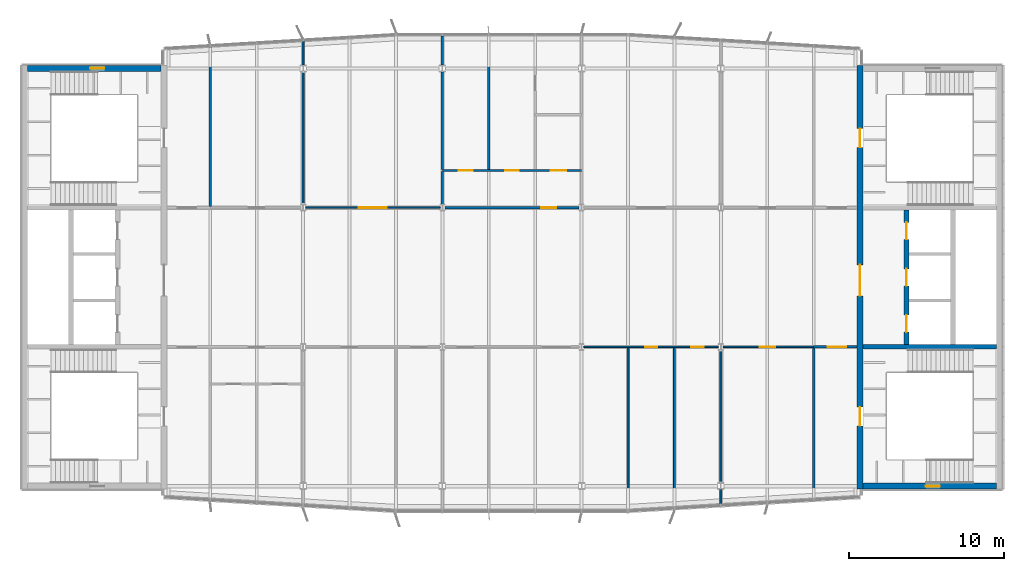
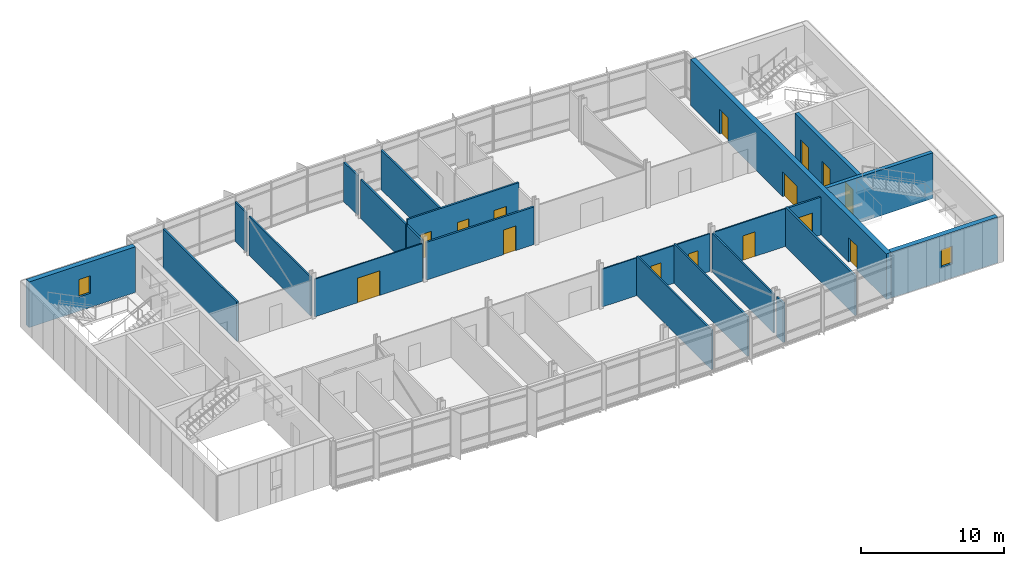
# One storey, part 17 of 21: 23 walls, 15 doors, 2 windows, 17 openings.
"""IFC4 building model written with IfcOpenShell, lengths in metres."""

from ifc_helpers import new_model, si_unit, direction, frame, frame_2d, origin, place, context, subcontext, project, spatial, rectangle, extrude, material, layer, layer_set, type_object, element, fill, save


model = new_model("IFC4")

# Units and contexts
model_context = context("Model", 3, precision=1e-05, world=origin(), true_north=direction((0.0, 1.0)))
body_context = subcontext(model_context, "Body", "Model", "MODEL_VIEW")
ifc_project = project(units=[si_unit("LENGTHUNIT", "METRE"), si_unit("AREAUNIT", "SQUARE_METRE"), si_unit("VOLUMEUNIT", "CUBIC_METRE"), si_unit("PLANEANGLEUNIT", "RADIAN"), si_unit("MASSUNIT", "GRAM", prefix="KILO")], contexts=[model_context])

# Site, building, storey
site_placement = place(None, origin())
site = spatial("IfcSite", under=ifc_project, at=site_placement, CompositionType="ELEMENT")
building_placement = place(site_placement, origin())
building = spatial("IfcBuilding", under=site, at=building_placement, Name="Azimuth Sports and Learning Centre", CompositionType="ELEMENT")
storey_placement = place(building_placement, frame((0.0, 0.0, 48.0)))
storey = spatial("IfcBuildingStorey", under=building, at=storey_placement, Name="L10", CompositionType="ELEMENT", Elevation=48.0)

# Wall, openings, doors
ifc_material_1 = material(Name="Gypsum board on steel studs", Category="steel")
ifc_layer_1 = layer(ifc_material_1, 0.10009765625)
ifc_layer_set_1 = layer_set([ifc_layer_1], Name="Gypsum board on steel studs")
wall_type_1 = type_object("IfcWallType", Name="Partition 100 EI 30", PredefinedType="PARTITIONING", material=ifc_layer_set_1)
wall_1_placement = place(storey_placement, frame((90.153564453125, 99.0, 0.0), z_axis=(0.0, 0.0, 1.0), x_axis=(1.0, 0.0, 0.0)))
wall_1 = element("IfcWall", 1, at=wall_1_placement, inside=storey, type_object=wall_type_1, Name="Partition Music Room 10.10 / Practice Room 10.11", PredefinedType="PARTITIONING", context=body_context, shape_type="SweptSolid", body=[
    extrude(rectangle(XDim=8.69287109375, YDim=0.10009765625, at=frame_2d((4.346435546875, 0.0))), origin(), (0.0, 0.0, 1.0), 3.219970703125),
])
opening_1_placement = place(wall_1_placement, frame((3.946533203125, 0.0, 0.0)))
opening_1 = element("IfcOpeningElement", 2, at=opening_1_placement, cuts=wall_1, Name="Opening D10-020", PredefinedType="OPENING", context=body_context, shape_type="SweptSolid", body=[
    extrude(rectangle(XDim=0.800048828125, YDim=2.10009765625, at=frame_2d((0.39990234375, 1.050048828125))), frame((0.0, 0.06103515625, 0.0), z_axis=(0.0, -1.0, 0.0), x_axis=(1.0, 0.0, 0.0)), (0.0, 0.0, 1.0), 0.1220703125),
])
opening_2_placement = place(wall_1_placement, frame((6.946533203125, 0.0, 0.0)))
opening_2 = element("IfcOpeningElement", 3, at=opening_2_placement, cuts=wall_1, Name="Opening D10-021", PredefinedType="OPENING", context=body_context, shape_type="SweptSolid", body=[
    extrude(rectangle(XDim=0.800048828125, YDim=2.10009765625, at=frame_2d((0.39990234375, 1.050048828125))), frame((0.0, 0.06103515625, 0.0), z_axis=(0.0, -1.0, 0.0), x_axis=(1.0, 0.0, 0.0)), (0.0, 0.0, 1.0), 0.1220703125),
])
ifc_material_2 = material(Name="Painted steel door set", Category="steel")
door_type_1 = type_object("IfcDoorType", Name="Fire door FD30S 800 x 2100", OperationType="NOTDEFINED", PredefinedType="DOOR", material=ifc_material_2)
door_1_placement = place(opening_1_placement, frame((0.800048828125, 0.0, 0.0), z_axis=(0.0, 0.0, 1.0), x_axis=(-1.0, 0.0, 0.0)))
door_1 = element("IfcDoor", 4, at=door_1_placement, inside=storey, type_object=door_type_1, Name="Door Instrument Store 10.14 / Learning Street", OperationType="SINGLE_SWING_RIGHT", OverallHeight=2.10009765625, OverallWidth=0.800048828125, PredefinedType="DOOR", context=body_context, shape_type="SweptSolid", body=[
    extrude(rectangle(XDim=0.800048828125, YDim=2.10009765625, at=frame_2d((0.39990234375, 1.050048828125))), frame((0.0, 0.02490234375, 0.0), z_axis=(0.0, -1.0, 0.0), x_axis=(1.0, 0.0, 0.0)), (0.0, 0.0, 1.0), 0.050048828125),
])
fill(opening_1, door_1)
door_2_placement = place(opening_2_placement, frame((0.800048828125, 0.0, 0.0), z_axis=(0.0, 0.0, 1.0), x_axis=(-1.0, 0.0, 0.0)))
door_2 = element("IfcDoor", 5, at=door_2_placement, inside=storey, type_object=door_type_1, Name="Door Costume Store 10.15 / Learning Street", OperationType="SINGLE_SWING_LEFT", OverallHeight=2.10009765625, OverallWidth=0.800048828125, PredefinedType="DOOR", context=body_context, shape_type="SweptSolid", body=[
    extrude(rectangle(XDim=0.800048828125, YDim=2.10009765625, at=frame_2d((0.39990234375, 1.050048828125))), frame((0.0, 0.02490234375, 0.0), z_axis=(0.0, -1.0, 0.0), x_axis=(1.0, 0.0, 0.0)), (0.0, 0.0, 1.0), 0.050048828125),
])
fill(opening_2, door_2)

# Wall, opening, door
wall_2_placement = place(storey_placement, frame((99.153564453125, 99.0, 0.0), z_axis=(0.0, 0.0, 1.0), x_axis=(1.0, 0.0, 0.0)))
wall_2 = element("IfcWall", 6, at=wall_2_placement, inside=storey, type_object=wall_type_1, Name="Partition Music Room 10.10 / Practice Room 10.11", PredefinedType="PARTITIONING", context=body_context, shape_type="SweptSolid", body=[
    extrude(rectangle(XDim=5.846435546875, YDim=0.10009765625, at=frame_2d((2.92333984375, 0.0))), origin(), (0.0, 0.0, 1.0), 3.219970703125),
])
opening_3_placement = place(wall_2_placement, frame((2.346435546875, 0.0, 0.0)))
opening_3 = element("IfcOpeningElement", 7, at=opening_3_placement, cuts=wall_2, Name="Opening D10-022", PredefinedType="OPENING", context=body_context, shape_type="SweptSolid", body=[
    extrude(rectangle(XDim=1.0, YDim=2.10009765625, at=frame_2d((0.5, 1.050048828125))), frame((0.0, 0.06103515625, 0.0), z_axis=(0.0, -1.0, 0.0), x_axis=(1.0, 0.0, 0.0)), (0.0, 0.0, 1.0), 0.1220703125),
])
ifc_material_3 = material(Name="Painted steel door set", Category="steel")
door_type_2 = type_object("IfcDoorType", Name="Fire door FD30S 1000 x 2100", OperationType="NOTDEFINED", PredefinedType="DOOR", material=ifc_material_3)
door_3_placement = place(opening_3_placement, frame((1.0, 0.0, 0.0), z_axis=(0.0, 0.0, 1.0), x_axis=(-1.0, 0.0, 0.0)))
door_3 = element("IfcDoor", 8, at=door_3_placement, inside=storey, type_object=door_type_2, Name="Door Recording Studio 10.16 / Learning Street", OperationType="SINGLE_SWING_RIGHT", OverallHeight=2.10009765625, OverallWidth=1.0, PredefinedType="DOOR", context=body_context, shape_type="SweptSolid", body=[
    extrude(rectangle(XDim=1.0, YDim=2.10009765625, at=frame_2d((0.5, 1.050048828125))), frame((0.0, 0.02490234375, 0.0), z_axis=(0.0, -1.0, 0.0), x_axis=(1.0, 0.0, 0.0)), (0.0, 0.0, 1.0), 0.050048828125),
])
fill(opening_3, door_3)

wall_3_placement = place(storey_placement, frame((72.153564453125, 108.0, 0.0), z_axis=(0.0, 0.0, 1.0), x_axis=(1.0, 0.0, 0.0)))
wall_3 = element("IfcWall", 9, at=wall_3_placement, inside=storey, type_object=wall_type_1, Name="Partition Classroom 10.17 / Music Technology Studio 10.18", PredefinedType="PARTITIONING", context=body_context, shape_type="SweptSolid", body=[
    extrude(rectangle(XDim=8.69287109375, YDim=0.10009765625, at=frame_2d((4.346435546875, 0.0))), origin(), (0.0, 0.0, 1.0), 3.219970703125),
])
opening_4_placement = place(wall_3_placement, frame((3.446533203125, 0.0, 0.0)))
opening_4 = element("IfcOpeningElement", 10, at=opening_4_placement, cuts=wall_3, Name="Opening D10-024", PredefinedType="OPENING", context=body_context, shape_type="SweptSolid", body=[
    extrude(rectangle(XDim=1.800048828125, YDim=2.10009765625, at=frame_2d((0.89990234375, 1.050048828125))), frame((0.0, 0.06103515625, 0.0), z_axis=(0.0, -1.0, 0.0), x_axis=(1.0, 0.0, 0.0)), (0.0, 0.0, 1.0), 0.1220703125),
])
ifc_material_4 = material(Name="Painted steel door set", Category="steel")
door_type_3 = type_object("IfcDoorType", Name="Fire door FD30S 1800 x 2100 double leaf", OperationType="DOUBLE_DOOR_SINGLE_SWING", PredefinedType="DOOR", material=ifc_material_4)
door_4_placement = place(opening_4_placement, origin())
door_4 = element("IfcDoor", 11, at=door_4_placement, inside=storey, type_object=door_type_3, Name="Door Music Technology Studio 10.18 / Learning Street", OperationType="DOUBLE_DOOR_SINGLE_SWING", OverallHeight=2.10009765625, OverallWidth=1.800048828125, PredefinedType="DOOR", context=body_context, shape_type="SweptSolid", body=[
    extrude(rectangle(XDim=1.800048828125, YDim=2.10009765625, at=frame_2d((0.89990234375, 1.050048828125))), frame((0.0, 0.02490234375, 0.0), z_axis=(0.0, -1.0, 0.0), x_axis=(1.0, 0.0, 0.0)), (0.0, 0.0, 1.0), 0.050048828125),
])
fill(opening_4, door_4)

# Walls
ifc_material_5 = material(Name="Gypsum board on steel studs, acoustic", Category="steel")
ifc_layer_2 = layer(ifc_material_5, 0.125)
ifc_layer_set_2 = layer_set([ifc_layer_2], Name="Gypsum board on steel studs, acoustic")
wall_type_2 = type_object("IfcWallType", Name="Partition 125 EI 60", PredefinedType="PARTITIONING", material=ifc_layer_set_2)
wall_4_placement = place(storey_placement, frame((72.0, 108.216064453125, 0.0), z_axis=(0.0, 0.0, 1.0), x_axis=(0.0, 1.0, 0.0)))
element("IfcWall", 12, at=wall_4_placement, inside=storey, type_object=wall_type_2, Name="Partition Classroom 10.17 / Music Technology Studio 10.18", PredefinedType="PARTITIONING", context=body_context, shape_type="SweptSolid", body=[
    extrude(rectangle(XDim=8.556396484375, YDim=0.125, at=frame_2d((4.2783203125, 0.0))), origin(), (0.0, 0.0, 1.0), 3.320068359375),
])
wall_5_placement = place(storey_placement, frame((72.0, 117.2275390625, 0.0), z_axis=(0.0, 0.0, 1.0), x_axis=(0.0, 1.0, 0.0)))
element("IfcWall", 13, at=wall_5_placement, inside=storey, type_object=wall_type_2, Name="Partition Classroom 10.17 / Music Technology Studio 10.18", PredefinedType="PARTITIONING", context=body_context, shape_type="SweptSolid", body=[
    extrude(rectangle(XDim=1.512451171875, YDim=0.125, at=frame_2d((0.75634765625, 0.0))), origin(), (0.0, 0.0, 1.0), 3.3701171875),
])
wall_6_placement = place(storey_placement, frame((93.0, 88.5, 0.0), z_axis=(0.0, 0.0, 1.0), x_axis=(0.0, 1.0, 0.0)))
element("IfcWall", 14, at=wall_6_placement, inside=storey, type_object=wall_type_2, Name="Partition Drama Studio 10.13 / Instrument Store 10.14", PredefinedType="PARTITIONING", context=body_context, shape_type="SweptSolid", body=[
    extrude(rectangle(XDim=10.449951171875, YDim=0.125, at=frame_2d((5.22509765625, 0.0))), origin(), (0.0, 0.0, 1.0), 3.3701171875),
])
wall_7_placement = place(storey_placement, frame((96.0, 88.679931640625, 0.0), z_axis=(0.0, 0.0, 1.0), x_axis=(0.0, 1.0, 0.0)))
element("IfcWall", 15, at=wall_7_placement, inside=storey, type_object=wall_type_2, Name="Partition Instrument Store 10.14 / Costume Store 10.15", PredefinedType="PARTITIONING", context=body_context, shape_type="SweptSolid", body=[
    extrude(rectangle(XDim=10.27001953125, YDim=0.125, at=frame_2d((5.135009765625, 0.0))), origin(), (0.0, 0.0, 1.0), 3.3701171875),
])
wall_8_placement = place(storey_placement, frame((99.0, 88.860107421875, 0.0), z_axis=(0.0, 0.0, 1.0), x_axis=(0.0, 1.0, 0.0)))
element("IfcWall", 16, at=wall_8_placement, inside=storey, type_object=wall_type_2, Name="Partition Costume Store 10.15 / Recording Studio 10.16", PredefinedType="PARTITIONING", context=body_context, shape_type="SweptSolid", body=[
    extrude(rectangle(XDim=0.912353515625, YDim=0.125, at=frame_2d((0.4560546875, 0.0))), origin(), (0.0, 0.0, 1.0), 3.3701171875),
])
wall_9_placement = place(storey_placement, frame((99.0, 90.2275390625, 0.0), z_axis=(0.0, 0.0, 1.0), x_axis=(0.0, 1.0, 0.0)))
element("IfcWall", 17, at=wall_9_placement, inside=storey, type_object=wall_type_2, Name="Partition Costume Store 10.15 / Recording Studio 10.16", PredefinedType="PARTITIONING", context=body_context, shape_type="SweptSolid", body=[
    extrude(rectangle(XDim=8.556396484375, YDim=0.125, at=frame_2d((4.2783203125, 0.0))), origin(), (0.0, 0.0, 1.0), 3.320068359375),
])

# Wall, opening, door
ifc_material_6 = material(Name="Lightweight blockwork, rendered", Category="masonry")
ifc_layer_3 = layer(ifc_material_6, 0.14990234375)
ifc_layer_set_3 = layer_set([ifc_layer_3], Name="Lightweight blockwork, rendered")
wall_type_3 = type_object("IfcWallType", Name="Partition 150 EI 60", PredefinedType="PARTITIONING", material=ifc_layer_set_3)
wall_10_placement = place(storey_placement, frame((105.0, 99.0, 0.0), z_axis=(0.0, 0.0, 1.0), x_axis=(1.0, 0.0, 0.0)))
wall_10 = element("IfcWall", 18, at=wall_10_placement, inside=storey, type_object=wall_type_3, Name="Partition Stair Lobby E1 10.03 / Learning Street", PredefinedType="PARTITIONING", context=body_context, shape_type="SweptSolid", body=[
    extrude(rectangle(XDim=2.800048828125, YDim=0.14990234375, at=frame_2d((1.39990234375, 0.0))), origin(), (0.0, 0.0, 1.0), 3.219970703125),
])
opening_5_placement = place(wall_10_placement, frame((0.89990234375, 0.0, 0.0)))
opening_5 = element("IfcOpeningElement", 19, at=opening_5_placement, cuts=wall_10, Name="Opening D10-013", PredefinedType="OPENING", context=body_context, shape_type="SweptSolid", body=[
    extrude(rectangle(XDim=1.199951171875, YDim=2.10009765625, at=frame_2d((0.60009765625, 1.050048828125))), frame((0.0, 0.0859375, 0.0), z_axis=(0.0, -1.0, 0.0), x_axis=(1.0, 0.0, 0.0)), (0.0, 0.0, 1.0), 0.171875),
])
ifc_material_7 = material(Name="Painted steel door set", Category="steel")
door_type_4 = type_object("IfcDoorType", Name="Fire door FD60 1200 x 2100", OperationType="NOTDEFINED", PredefinedType="DOOR", material=ifc_material_7)
door_5_placement = place(opening_5_placement, frame((1.199951171875, 0.0, 0.0), z_axis=(0.0, 0.0, 1.0), x_axis=(-1.0, 0.0, 0.0)))
door_5 = element("IfcDoor", 20, at=door_5_placement, inside=storey, type_object=door_type_4, Name="Door Stair Lobby E1 10.03 / Learning Street", OperationType="SINGLE_SWING_LEFT", OverallHeight=2.10009765625, OverallWidth=1.199951171875, PredefinedType="DOOR", context=body_context, shape_type="SweptSolid", body=[
    extrude(rectangle(XDim=1.199951171875, YDim=2.10009765625, at=frame_2d((0.60009765625, 1.050048828125))), frame((0.0, 0.02490234375, 0.0), z_axis=(0.0, -1.0, 0.0), x_axis=(1.0, 0.0, 0.0)), (0.0, 0.0, 1.0), 0.050048828125),
])
fill(opening_5, door_5)

wall_11_placement = place(storey_placement, frame((81.153564453125, 108.0, 0.0), z_axis=(0.0, 0.0, 1.0), x_axis=(1.0, 0.0, 0.0)))
wall_11 = element("IfcWall", 21, at=wall_11_placement, inside=storey, type_object=wall_type_3, Name="Partition WC Lobby 10.19 / Learning Street", PredefinedType="PARTITIONING", context=body_context, shape_type="SweptSolid", body=[
    extrude(rectangle(XDim=8.69287109375, YDim=0.14990234375, at=frame_2d((4.346435546875, 0.0))), origin(), (0.0, 0.0, 1.0), 3.219970703125),
])
opening_6_placement = place(wall_11_placement, frame((6.221435546875, 0.0, 0.0)))
opening_6 = element("IfcOpeningElement", 22, at=opening_6_placement, cuts=wall_11, Name="Opening D10-025", PredefinedType="OPENING", context=body_context, shape_type="SweptSolid", body=[
    extrude(rectangle(XDim=1.0, YDim=2.10009765625, at=frame_2d((0.5, 1.050048828125))), frame((0.0, 0.0859375, 0.0), z_axis=(0.0, -1.0, 0.0), x_axis=(1.0, 0.0, 0.0)), (0.0, 0.0, 1.0), 0.171875),
])
ifc_material_8 = material(Name="Painted steel door set", Category="steel")
door_type_5 = type_object("IfcDoorType", Name="Fire door FD60 1000 x 2100", OperationType="NOTDEFINED", PredefinedType="DOOR", material=ifc_material_8)
door_6_placement = place(opening_6_placement, origin())
door_6 = element("IfcDoor", 23, at=door_6_placement, inside=storey, type_object=door_type_5, Name="Door WC Lobby 10.19 / Learning Street", OperationType="SINGLE_SWING_RIGHT", OverallHeight=2.10009765625, OverallWidth=1.0, PredefinedType="DOOR", context=body_context, shape_type="SweptSolid", body=[
    extrude(rectangle(XDim=1.0, YDim=2.10009765625, at=frame_2d((0.5, 1.050048828125))), frame((0.0, 0.02490234375, 0.0), z_axis=(0.0, -1.0, 0.0), x_axis=(1.0, 0.0, 0.0)), (0.0, 0.0, 1.0), 0.050048828125),
])
fill(opening_6, door_6)

# Wall, openings, doors
wall_12_placement = place(storey_placement, frame((81.0, 110.39990234375, 0.0), z_axis=(0.0, 0.0, 1.0), x_axis=(1.0, 0.0, 0.0)))
wall_12 = element("IfcWall", 24, at=wall_12_placement, inside=storey, type_object=wall_type_3, Name="Partition WC Lobby 10.19 / Men WC 10.20", PredefinedType="PARTITIONING", context=body_context, shape_type="SweptSolid", body=[
    extrude(rectangle(XDim=9.0, YDim=0.14990234375, at=frame_2d((4.5, 0.0))), origin(), (0.0, 0.0, 1.0), 3.77001953125),
])
opening_7_placement = place(wall_12_placement, frame((1.050048828125, 0.0, 0.0)))
opening_7 = element("IfcOpeningElement", 25, at=opening_7_placement, cuts=wall_12, Name="Opening D10-030", PredefinedType="OPENING", context=body_context, shape_type="SweptSolid", body=[
    extrude(rectangle(XDim=0.89990234375, YDim=2.10009765625, at=frame_2d((0.449951171875, 1.050048828125))), frame((0.0, 0.0859375, 0.0), z_axis=(0.0, -1.0, 0.0), x_axis=(1.0, 0.0, 0.0)), (0.0, 0.0, 1.0), 0.171875),
])
opening_8_placement = place(wall_12_placement, frame((4.050048828125, 0.0, 0.0)))
opening_8 = element("IfcOpeningElement", 26, at=opening_8_placement, cuts=wall_12, Name="Opening D10-031", PredefinedType="OPENING", context=body_context, shape_type="SweptSolid", body=[
    extrude(rectangle(XDim=0.89990234375, YDim=2.10009765625, at=frame_2d((0.449951171875, 1.050048828125))), frame((0.0, 0.0859375, 0.0), z_axis=(0.0, -1.0, 0.0), x_axis=(1.0, 0.0, 0.0)), (0.0, 0.0, 1.0), 0.171875),
])
opening_9_placement = place(wall_12_placement, frame((7.0, 0.0, 0.0)))
opening_9 = element("IfcOpeningElement", 27, at=opening_9_placement, cuts=wall_12, Name="Opening D10-032", PredefinedType="OPENING", context=body_context, shape_type="SweptSolid", body=[
    extrude(rectangle(XDim=1.0, YDim=2.10009765625, at=frame_2d((0.5, 1.050048828125))), frame((0.0, 0.0859375, 0.0), z_axis=(0.0, -1.0, 0.0), x_axis=(1.0, 0.0, 0.0)), (0.0, 0.0, 1.0), 0.171875),
])
door_7_placement = place(opening_9_placement, origin())
door_7 = element("IfcDoor", 28, at=door_7_placement, inside=storey, type_object=door_type_5, Name="Door WC Lobby 10.19 / Accessible WC 10.22", OperationType="SINGLE_SWING_LEFT", OverallHeight=2.10009765625, OverallWidth=1.0, PredefinedType="DOOR", context=body_context, shape_type="SweptSolid", body=[
    extrude(rectangle(XDim=1.0, YDim=2.10009765625, at=frame_2d((0.5, 1.050048828125))), frame((0.0, 0.02490234375, 0.0), z_axis=(0.0, -1.0, 0.0), x_axis=(1.0, 0.0, 0.0)), (0.0, 0.0, 1.0), 0.050048828125),
])
fill(opening_9, door_7)
ifc_material_9 = material(Name="Painted steel door set", Category="steel")
door_type_6 = type_object("IfcDoorType", Name="Fire door FD60 900 x 2100", OperationType="NOTDEFINED", PredefinedType="DOOR", material=ifc_material_9)
door_8_placement = place(opening_7_placement, frame((0.89990234375, 0.0, 0.0), z_axis=(0.0, 0.0, 1.0), x_axis=(-1.0, 0.0, 0.0)))
door_8 = element("IfcDoor", 29, at=door_8_placement, inside=storey, type_object=door_type_6, Name="Door WC Lobby 10.19 / Men WC 10.20", OperationType="SINGLE_SWING_RIGHT", OverallHeight=2.10009765625, OverallWidth=0.89990234375, PredefinedType="DOOR", context=body_context, shape_type="SweptSolid", body=[
    extrude(rectangle(XDim=0.89990234375, YDim=2.10009765625, at=frame_2d((0.449951171875, 1.050048828125))), frame((0.0, 0.02490234375, 0.0), z_axis=(0.0, -1.0, 0.0), x_axis=(1.0, 0.0, 0.0)), (0.0, 0.0, 1.0), 0.050048828125),
])
fill(opening_7, door_8)
door_9_placement = place(opening_8_placement, frame((0.89990234375, 0.0, 0.0), z_axis=(0.0, 0.0, 1.0), x_axis=(-1.0, 0.0, 0.0)))
door_9 = element("IfcDoor", 30, at=door_9_placement, inside=storey, type_object=door_type_6, Name="Door WC Lobby 10.19 / Women WC 10.21", OperationType="SINGLE_SWING_RIGHT", OverallHeight=2.10009765625, OverallWidth=0.89990234375, PredefinedType="DOOR", context=body_context, shape_type="SweptSolid", body=[
    extrude(rectangle(XDim=0.89990234375, YDim=2.10009765625, at=frame_2d((0.449951171875, 1.050048828125))), frame((0.0, 0.02490234375, 0.0), z_axis=(0.0, -1.0, 0.0), x_axis=(1.0, 0.0, 0.0)), (0.0, 0.0, 1.0), 0.050048828125),
])
fill(opening_8, door_9)

# Walls
wall_13_placement = place(storey_placement, frame((66.0, 108.074951171875, 0.0), z_axis=(0.0, 0.0, 1.0), x_axis=(0.0, 1.0, 0.0)))
element("IfcWall", 31, at=wall_13_placement, inside=storey, type_object=wall_type_3, Name="Partition Stair Lobby W2 10.02 / Classroom 10.17", PredefinedType="PARTITIONING", context=body_context, shape_type="SweptSolid", body=[
    extrude(rectangle(XDim=10.304931640625, YDim=0.14990234375, at=frame_2d((5.15234375, 0.0))), origin(), (0.0, 0.0, 1.0), 3.3701171875),
])
wall_14_placement = place(storey_placement, frame((81.0, 108.216064453125, 0.0), z_axis=(0.0, 0.0, 1.0), x_axis=(0.0, 1.0, 0.0)))
element("IfcWall", 32, at=wall_14_placement, inside=storey, type_object=wall_type_3, Name="Partition Music Technology Studio 10.18 / WC Lobby 10.19", PredefinedType="PARTITIONING", context=body_context, shape_type="SweptSolid", body=[
    extrude(rectangle(XDim=2.10888671875, YDim=0.14990234375, at=frame_2d((1.054443359375, 0.0))), origin(), (0.0, 0.0, 1.0), 3.320068359375),
])
wall_15_placement = place(storey_placement, frame((81.0, 110.47509765625, 0.0), z_axis=(0.0, 0.0, 1.0), x_axis=(0.0, 1.0, 0.0)))
element("IfcWall", 33, at=wall_15_placement, inside=storey, type_object=wall_type_3, Name="Partition Music Technology Studio 10.18 / WC Lobby 10.19", PredefinedType="PARTITIONING", context=body_context, shape_type="SweptSolid", body=[
    extrude(rectangle(XDim=6.29736328125, YDim=0.14990234375, at=frame_2d((3.148681640625, 0.0))), origin(), (0.0, 0.0, 1.0), 3.320068359375),
])
wall_16_placement = place(storey_placement, frame((81.0, 117.2275390625, 0.0), z_axis=(0.0, 0.0, 1.0), x_axis=(0.0, 1.0, 0.0)))
element("IfcWall", 34, at=wall_16_placement, inside=storey, type_object=wall_type_3, Name="Partition Music Technology Studio 10.18 / WC Lobby 10.19", PredefinedType="PARTITIONING", context=body_context, shape_type="SweptSolid", body=[
    extrude(rectangle(XDim=1.87255859375, YDim=0.14990234375, at=frame_2d((0.936279296875, 0.0))), origin(), (0.0, 0.0, 1.0), 3.3701171875),
])
wall_17_placement = place(storey_placement, frame((84.0, 110.47509765625, 0.0), z_axis=(0.0, 0.0, 1.0), x_axis=(0.0, 1.0, 0.0)))
element("IfcWall", 35, at=wall_17_placement, inside=storey, type_object=wall_type_3, Name="Partition Men WC 10.20 / Women WC 10.21", PredefinedType="PARTITIONING", context=body_context, shape_type="SweptSolid", body=[
    extrude(rectangle(XDim=8.625, YDim=0.14990234375, at=frame_2d((4.3125, 0.0))), origin(), (0.0, 0.0, 1.0), 3.3701171875),
])
wall_18_placement = place(storey_placement, frame((105.0, 89.219970703125, 0.0), z_axis=(0.0, 0.0, 1.0), x_axis=(0.0, 1.0, 0.0)))
element("IfcWall", 36, at=wall_18_placement, inside=storey, type_object=wall_type_3, Name="Partition Stair Lobby E1 10.03 / Recording Studio 10.16", PredefinedType="PARTITIONING", context=body_context, shape_type="SweptSolid", body=[
    extrude(rectangle(XDim=9.705078125, YDim=0.14990234375, at=frame_2d((4.8525390625, 0.0))), origin(), (0.0, 0.0, 1.0), 3.3701171875),
])
ifc_material_10 = material(Name="Concrete C40/50", Category="concrete")
ifc_layer_4 = layer(ifc_material_10, 0.300048828125)
ifc_layer_set_4 = layer_set([ifc_layer_4], Name="Concrete C40/50")
wall_type_4 = type_object("IfcWallType", Name="RC core wall 300", PredefinedType="SHEAR", material=ifc_layer_set_4)
wall_19_placement = place(storey_placement, frame((108.199951171875, 99.0, 0.0), z_axis=(0.0, 0.0, 1.0), x_axis=(1.0, 0.0, 0.0)))
element("IfcWall", 37, at=wall_19_placement, inside=storey, type_object=wall_type_4, Name="Core wall E D1 L10", PredefinedType="SHEAR", context=body_context, shape_type="SweptSolid", body=[
    extrude(rectangle(XDim=8.60009765625, YDim=0.300048828125, at=frame_2d((4.300048828125, 0.0))), origin(), (0.0, 0.0, 1.0), 3.89990234375),
])

# Wall, openings, doors
wall_20_placement = place(storey_placement, frame((111.0, 99.14990234375, 0.0), z_axis=(0.0, 0.0, 1.0), x_axis=(0.0, 1.0, 0.0)))
wall_20 = element("IfcWall", 38, at=wall_20_placement, inside=storey, type_object=wall_type_4, Name="Core wall E LB1 L10", PredefinedType="SHEAR", context=body_context, shape_type="SweptSolid", body=[
    extrude(rectangle(XDim=8.7001953125, YDim=0.300048828125, at=frame_2d((4.35009765625, 0.0))), origin(), (0.0, 0.0, 1.0), 3.89990234375),
])
opening_10_placement = place(wall_20_placement, frame((0.800048828125, 0.0, 0.0)))
opening_10 = element("IfcOpeningElement", 39, at=opening_10_placement, cuts=wall_20, Name="Opening D10-008", PredefinedType="OPENING", context=body_context, shape_type="SweptSolid", body=[
    extrude(rectangle(XDim=1.10009765625, YDim=2.10009765625, at=frame_2d((0.550048828125, 1.050048828125))), frame((0.0, 0.1611328125, 0.0), z_axis=(0.0, -1.0, 0.0), x_axis=(1.0, 0.0, 0.0)), (0.0, 0.0, 1.0), 0.322021484375),
])
opening_11_placement = place(wall_20_placement, frame((3.800048828125, 0.0, 0.0)))
opening_11 = element("IfcOpeningElement", 40, at=opening_11_placement, cuts=wall_20, Name="Opening D10-009", PredefinedType="OPENING", context=body_context, shape_type="SweptSolid", body=[
    extrude(rectangle(XDim=1.10009765625, YDim=2.10009765625, at=frame_2d((0.550048828125, 1.050048828125))), frame((0.0, 0.1611328125, 0.0), z_axis=(0.0, -1.0, 0.0), x_axis=(1.0, 0.0, 0.0)), (0.0, 0.0, 1.0), 0.322021484375),
])
opening_12_placement = place(wall_20_placement, frame((6.800048828125, 0.0, 0.0)))
opening_12 = element("IfcOpeningElement", 41, at=opening_12_placement, cuts=wall_20, Name="Opening D10-010", PredefinedType="OPENING", context=body_context, shape_type="SweptSolid", body=[
    extrude(rectangle(XDim=1.10009765625, YDim=2.10009765625, at=frame_2d((0.550048828125, 1.050048828125))), frame((0.0, 0.1611328125, 0.0), z_axis=(0.0, -1.0, 0.0), x_axis=(1.0, 0.0, 0.0)), (0.0, 0.0, 1.0), 0.322021484375),
])
ifc_material_11 = material(Name="Stainless steel", Category="steel")
door_type_7 = type_object("IfcDoorType", Name="Lift landing door 1100 x 2100", OperationType="DOUBLE_DOOR_SLIDING", PredefinedType="DOOR", material=ifc_material_11)
door_10_placement = place(opening_10_placement, origin())
door_10 = element("IfcDoor", 42, at=door_10_placement, inside=storey, type_object=door_type_7, Name="Landing door LE1 L10", OperationType="DOUBLE_DOOR_SLIDING", OverallHeight=2.10009765625, OverallWidth=1.10009765625, PredefinedType="DOOR", context=body_context, shape_type="SweptSolid", body=[
    extrude(rectangle(XDim=1.10009765625, YDim=2.10009765625, at=frame_2d((0.550048828125, 1.050048828125))), frame((0.0, 0.02490234375, 0.0), z_axis=(0.0, -1.0, 0.0), x_axis=(1.0, 0.0, 0.0)), (0.0, 0.0, 1.0), 0.050048828125),
])
fill(opening_10, door_10)
door_11_placement = place(opening_11_placement, origin())
door_11 = element("IfcDoor", 43, at=door_11_placement, inside=storey, type_object=door_type_7, Name="Landing door LE2 L10", OperationType="DOUBLE_DOOR_SLIDING", OverallHeight=2.10009765625, OverallWidth=1.10009765625, PredefinedType="DOOR", context=body_context, shape_type="SweptSolid", body=[
    extrude(rectangle(XDim=1.10009765625, YDim=2.10009765625, at=frame_2d((0.550048828125, 1.050048828125))), frame((0.0, 0.02490234375, 0.0), z_axis=(0.0, -1.0, 0.0), x_axis=(1.0, 0.0, 0.0)), (0.0, 0.0, 1.0), 0.050048828125),
])
fill(opening_11, door_11)
door_12_placement = place(opening_12_placement, origin())
door_12 = element("IfcDoor", 44, at=door_12_placement, inside=storey, type_object=door_type_7, Name="Landing door LE3 L10", OperationType="DOUBLE_DOOR_SLIDING", OverallHeight=2.10009765625, OverallWidth=1.10009765625, PredefinedType="DOOR", context=body_context, shape_type="SweptSolid", body=[
    extrude(rectangle(XDim=1.10009765625, YDim=2.10009765625, at=frame_2d((0.550048828125, 1.050048828125))), frame((0.0, 0.02490234375, 0.0), z_axis=(0.0, -1.0, 0.0), x_axis=(1.0, 0.0, 0.0)), (0.0, 0.0, 1.0), 0.050048828125),
])
fill(opening_12, door_12)

ifc_material_12 = material(Name="Concrete C40/50", Category="concrete")
ifc_layer_5 = layer(ifc_material_12, 0.39990234375)
ifc_layer_set_5 = layer_set([ifc_layer_5], Name="Concrete C40/50")
wall_type_5 = type_object("IfcWallType", Name="RC core wall 400", PredefinedType="SHEAR", material=ifc_layer_set_5)
wall_21_placement = place(storey_placement, frame((108.0, 89.800048828125, 0.0), z_axis=(0.0, 0.0, 1.0), x_axis=(0.0, 1.0, 0.0)))
wall_21 = element("IfcWall", 45, at=wall_21_placement, inside=storey, type_object=wall_type_5, Name="Core wall E W L10", PredefinedType="SHEAR", context=body_context, shape_type="SweptSolid", body=[
    extrude(rectangle(XDim=27.39990234375, YDim=0.39990234375, at=frame_2d((13.699951171875, 0.0))), origin(), (0.0, 0.0, 1.0), 3.89990234375),
])
opening_13_placement = place(wall_21_placement, frame((4.10009765625, 0.0, 0.0)))
opening_13 = element("IfcOpeningElement", 46, at=opening_13_placement, cuts=wall_21, Name="Opening D10-003", PredefinedType="OPENING", context=body_context, shape_type="SweptSolid", body=[
    extrude(rectangle(XDim=1.199951171875, YDim=2.10009765625, at=frame_2d((0.60009765625, 1.050048828125))), frame((0.0, 0.2109375, 0.0), z_axis=(0.0, -1.0, 0.0), x_axis=(1.0, 0.0, 0.0)), (0.0, 0.0, 1.0), 0.421875),
])
opening_14_placement = place(wall_21_placement, frame((22.10009765625, 0.0, 0.0)))
opening_14 = element("IfcOpeningElement", 47, at=opening_14_placement, cuts=wall_21, Name="Opening D10-004", PredefinedType="OPENING", context=body_context, shape_type="SweptSolid", body=[
    extrude(rectangle(XDim=1.199951171875, YDim=2.10009765625, at=frame_2d((0.60009765625, 1.050048828125))), frame((0.0, 0.2109375, 0.0), z_axis=(0.0, -1.0, 0.0), x_axis=(1.0, 0.0, 0.0)), (0.0, 0.0, 1.0), 0.421875),
])
opening_15_placement = place(wall_21_placement, frame((12.5, 0.0, 0.0)))
opening_15 = element("IfcOpeningElement", 48, at=opening_15_placement, cuts=wall_21, Name="Opening D10-035", PredefinedType="OPENING", context=body_context, shape_type="SweptSolid", body=[
    extrude(rectangle(XDim=2.0, YDim=2.10009765625, at=frame_2d((1.0, 1.050048828125))), frame((0.0, 0.2109375, 0.0), z_axis=(0.0, -1.0, 0.0), x_axis=(1.0, 0.0, 0.0)), (0.0, 0.0, 1.0), 0.421875),
])
ifc_material_13 = material(Name="Painted steel door set", Category="steel")
door_type_8 = type_object("IfcDoorType", Name="Fire door FD120 2000 x 2100 double leaf", OperationType="DOUBLE_DOOR_SINGLE_SWING", PredefinedType="DOOR", material=ifc_material_13)
door_13_placement = place(opening_15_placement, frame((2.0, 0.0, 0.0), z_axis=(0.0, 0.0, 1.0), x_axis=(-1.0, 0.0, 0.0)))
door_13 = element("IfcDoor", 49, at=door_13_placement, inside=storey, type_object=door_type_8, Name="Door Lift Lobby E 10.06 / Learning Street", OperationType="DOUBLE_DOOR_SINGLE_SWING", OverallHeight=2.10009765625, OverallWidth=2.0, PredefinedType="DOOR", context=body_context, shape_type="SweptSolid", body=[
    extrude(rectangle(XDim=2.0, YDim=2.10009765625, at=frame_2d((1.0, 1.050048828125))), frame((0.0, 0.02490234375, 0.0), z_axis=(0.0, -1.0, 0.0), x_axis=(1.0, 0.0, 0.0)), (0.0, 0.0, 1.0), 0.050048828125),
])
fill(opening_15, door_13)
ifc_material_14 = material(Name="Steel", Category="steel")
door_type_9 = type_object("IfcDoorType", Name="Stair fire door 1200 x 2100", OperationType="NOTDEFINED", PredefinedType="DOOR", material=ifc_material_14)
door_14_placement = place(opening_13_placement, frame((1.199951171875, 0.0, 0.0), z_axis=(0.0, 0.0, 1.0), x_axis=(-1.0, 0.0, 0.0)))
door_14 = element("IfcDoor", 50, at=door_14_placement, inside=storey, type_object=door_type_9, Name="Stair door E1 L10", OperationType="SINGLE_SWING_RIGHT", OverallHeight=2.10009765625, OverallWidth=1.199951171875, PredefinedType="DOOR", context=body_context, shape_type="SweptSolid", body=[
    extrude(rectangle(XDim=1.199951171875, YDim=2.10009765625, at=frame_2d((0.60009765625, 1.050048828125))), frame((0.0, 0.02490234375, 0.0), z_axis=(0.0, -1.0, 0.0), x_axis=(1.0, 0.0, 0.0)), (0.0, 0.0, 1.0), 0.050048828125),
])
fill(opening_13, door_14)
door_15_placement = place(opening_14_placement, frame((1.199951171875, 0.0, 0.0), z_axis=(0.0, 0.0, 1.0), x_axis=(-1.0, 0.0, 0.0)))
door_15 = element("IfcDoor", 51, at=door_15_placement, inside=storey, type_object=door_type_9, Name="Stair door E2 L10", OperationType="SINGLE_SWING_RIGHT", OverallHeight=2.10009765625, OverallWidth=1.199951171875, PredefinedType="DOOR", context=body_context, shape_type="SweptSolid", body=[
    extrude(rectangle(XDim=1.199951171875, YDim=2.10009765625, at=frame_2d((0.60009765625, 1.050048828125))), frame((0.0, 0.02490234375, 0.0), z_axis=(0.0, -1.0, 0.0), x_axis=(1.0, 0.0, 0.0)), (0.0, 0.0, 1.0), 0.050048828125),
])
fill(opening_14, door_15)

# Wall, opening, window
ifc_material_15 = material(Name="Concrete C40/50", Category="concrete")
ifc_layer_6 = layer(ifc_material_15, 0.39990234375)
ifc_layer_set_6 = layer_set([ifc_layer_6], Name="Concrete C40/50")
wall_type_6 = type_object("IfcWallType", Name="RC external core wall 400", PredefinedType="SHEAR", material=ifc_layer_set_6)
wall_22_placement = place(storey_placement, frame((54.199951171875, 117.0, 0.0), z_axis=(0.0, 0.0, 1.0), x_axis=(1.0, 0.0, 0.0)))
wall_22 = element("IfcWall", 52, at=wall_22_placement, inside=storey, type_object=wall_type_6, Name="Core wall W N L10", PredefinedType="SHEAR", context=body_context, shape_type="SweptSolid", body=[
    extrude(rectangle(XDim=8.60009765625, YDim=0.39990234375, at=frame_2d((4.300048828125, 0.0))), origin(), (0.0, 0.0, 1.0), 3.89990234375),
])
opening_16_placement = place(wall_22_placement, frame((4.050048828125, 0.0, 1.199951171875)))
opening_16 = element("IfcOpeningElement", 53, at=opening_16_placement, cuts=wall_22, Name="Opening W10-004", PredefinedType="OPENING", context=body_context, shape_type="SweptSolid", body=[
    extrude(rectangle(XDim=0.89990234375, YDim=1.5, at=frame_2d((0.449951171875, 0.75))), frame((0.0, 0.2109375, 0.0), z_axis=(0.0, -1.0, 0.0), x_axis=(1.0, 0.0, 0.0)), (0.0, 0.0, 1.0), 0.421875),
])
ifc_material_16 = material(Name="Aluminium and glass", Category="aluminium")
window_type = type_object("IfcWindowType", Name="Stair window tower core 900x1500", PartitioningType="SINGLE_PANEL", PredefinedType="WINDOW", material=ifc_material_16)
window_1_placement = place(opening_16_placement, origin())
window_1 = element("IfcWindow", 54, at=window_1_placement, inside=storey, type_object=window_type, Name="Window W10-004", OverallHeight=1.5, OverallWidth=0.89990234375, PartitioningType="SINGLE_PANEL", PredefinedType="WINDOW", context=body_context, shape_type="SweptSolid", body=[
    extrude(rectangle(XDim=0.89990234375, YDim=1.5, at=frame_2d((0.449951171875, 0.75))), frame((0.0, 0.030029296875, 0.0), z_axis=(0.0, -1.0, 0.0), x_axis=(1.0, 0.0, 0.0)), (0.0, 0.0, 1.0), 0.06005859375),
])
fill(opening_16, window_1)

wall_23_placement = place(storey_placement, frame((108.199951171875, 90.0, 0.0), z_axis=(0.0, 0.0, 1.0), x_axis=(1.0, 0.0, 0.0)))
wall_23 = element("IfcWall", 55, at=wall_23_placement, inside=storey, type_object=wall_type_6, Name="Core wall E S L10", PredefinedType="SHEAR", context=body_context, shape_type="SweptSolid", body=[
    extrude(rectangle(XDim=8.60009765625, YDim=0.39990234375, at=frame_2d((4.300048828125, 0.0))), origin(), (0.0, 0.0, 1.0), 3.89990234375),
])
opening_17_placement = place(wall_23_placement, frame((4.050048828125, 0.0, 1.199951171875)))
opening_17 = element("IfcOpeningElement", 56, at=opening_17_placement, cuts=wall_23, Name="Opening W10-002", PredefinedType="OPENING", context=body_context, shape_type="SweptSolid", body=[
    extrude(rectangle(XDim=0.89990234375, YDim=1.5, at=frame_2d((0.449951171875, 0.75))), frame((0.0, 0.2109375, 0.0), z_axis=(0.0, -1.0, 0.0), x_axis=(1.0, 0.0, 0.0)), (0.0, 0.0, 1.0), 0.421875),
])
window_2_placement = place(opening_17_placement, origin())
window_2 = element("IfcWindow", 57, at=window_2_placement, inside=storey, type_object=window_type, Name="Window W10-002", OverallHeight=1.5, OverallWidth=0.89990234375, PartitioningType="SINGLE_PANEL", PredefinedType="WINDOW", context=body_context, shape_type="SweptSolid", body=[
    extrude(rectangle(XDim=0.89990234375, YDim=1.5, at=frame_2d((0.449951171875, 0.75))), frame((0.0, 0.030029296875, 0.0), z_axis=(0.0, -1.0, 0.0), x_axis=(1.0, 0.0, 0.0)), (0.0, 0.0, 1.0), 0.06005859375),
])
fill(opening_17, window_2)

save(model, "model.ifc")
